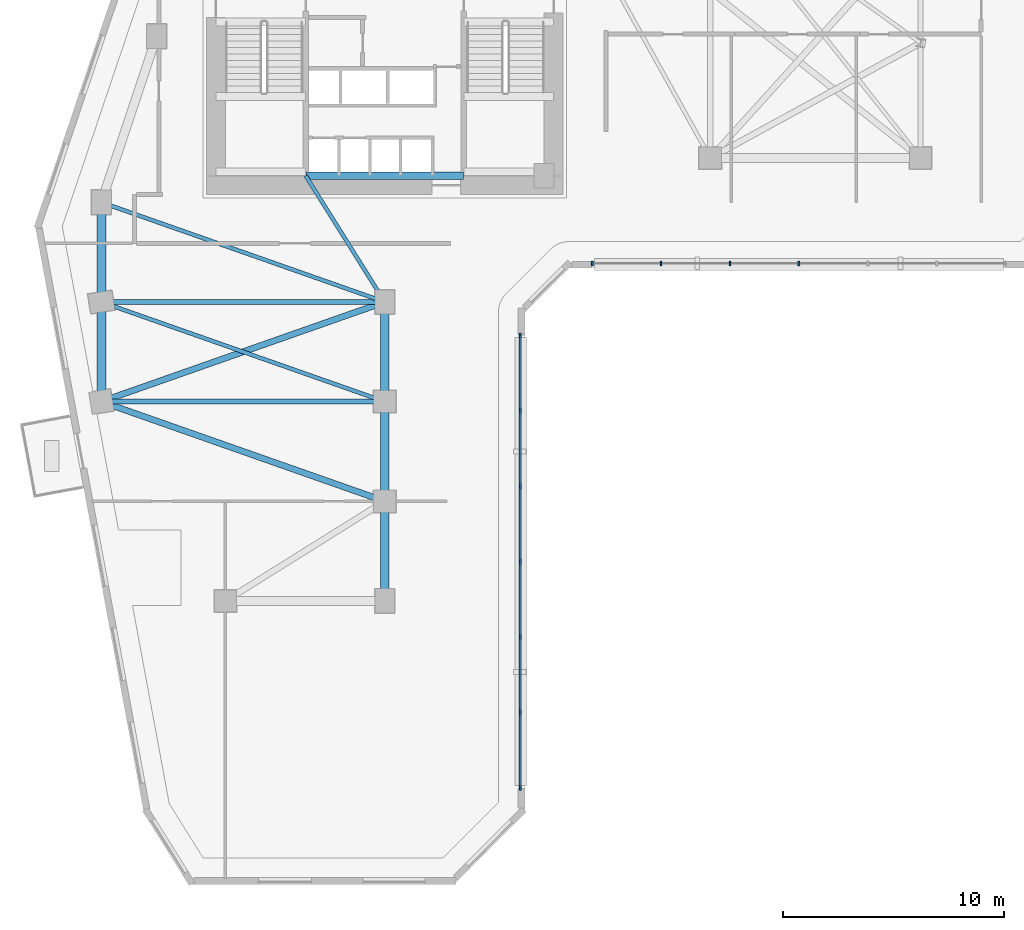
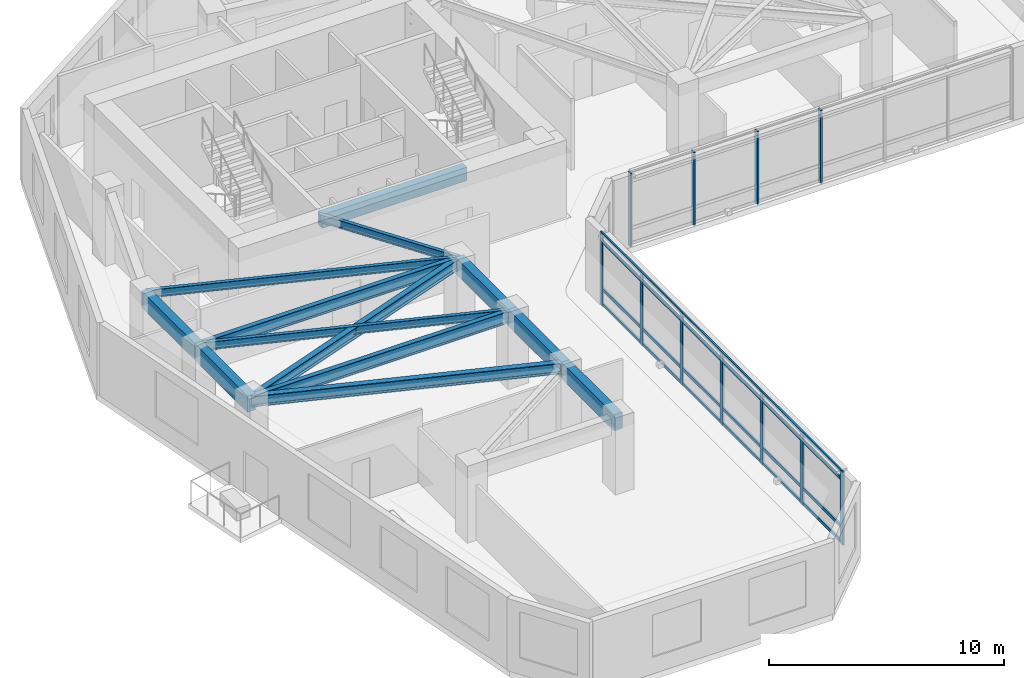
# One storey, part 2 of 9: 15 members, 13 beams, 2 elements without a shape of their own.
"""IFC4 building model written with IfcOpenShell, lengths in metres."""

from ifc_helpers import new_model, si_unit, direction, frame, origin, origin_2d, place, context, subcontext, project, spatial, rectangle, i_section, extrude, source, transform, mapped, material, material_profile, profile_set, type_object, element, aggregate, save


model = new_model("IFC4")

# Units and contexts
model_context = context("Model", 3, precision=1e-05, world=origin(), true_north=direction((0.0, 1.0)))
body_context = subcontext(model_context, "Body", "Model", "MODEL_VIEW")
ifc_project = project(units=[si_unit("LENGTHUNIT", "METRE"), si_unit("AREAUNIT", "SQUARE_METRE"), si_unit("VOLUMEUNIT", "CUBIC_METRE"), si_unit("PLANEANGLEUNIT", "RADIAN"), si_unit("MASSUNIT", "GRAM", prefix="KILO")], contexts=[model_context])

# Site, building, storey
site_placement = place(None, origin())
site = spatial("IfcSite", under=ifc_project, at=site_placement, CompositionType="ELEMENT")
building_placement = place(site_placement, origin())
building = spatial("IfcBuilding", under=site, at=building_placement, Name="Calvemar Wedge Station Tower", CompositionType="ELEMENT")
storey_placement = place(building_placement, frame((0.0, 0.0, 63.0)))
storey = spatial("IfcBuildingStorey", under=building, at=storey_placement, Name="L15", CompositionType="ELEMENT", Elevation=63.0)

# Beams
ifc_material_1 = material(Name="Concrete C60", Category="concrete")
ifc_material_profile_1 = material_profile(ifc_material_1, rectangle(XDim=0.39990234375, YDim=0.85009765625, at=origin_2d()), Name="RC400x850")
ifc_profile_set_1 = profile_set([ifc_material_profile_1], Name="Concrete C60")
beam_type_1 = type_object("IfcBeamType", Name="BM-SP1-850", PredefinedType="SPANDREL", material=ifc_profile_set_1)
shared_shape_1 = source(origin(), body_context, "Body", "SweptSolid", [
    extrude(rectangle(XDim=0.39990234375, YDim=0.85009765625, at=origin_2d()), origin(), (0.0, 0.0, 1.0), 4.5),
])
for number, where, z_axis, x_axis, name in (
    (1, (11.0, 33.0, 3.324951171875), (0.0, -1.0, 0.0), (1.0, 0.0, 0.0), "Storey L15 Spandrel T-NW1-T-SW1"),
    (2, (11.0, 28.5, 3.324951171875), (0.0, -1.0, 0.0), (1.0, 0.0, 0.0), "Storey L15 Spandrel T-SW1-T-SW2"),
    (3, (23.800048828125, 28.5, 3.324951171875), (0.0, -1.0, 0.0), (1.0, 0.0, 0.0), "Storey L15 Spandrel T-SE1-T-SE2"),
    (4, (23.800048828125, 24.0, 3.324951171875), (0.0, -1.0, 0.0), (1.0, 0.0, 0.0), "Storey L15 Spandrel T-SE2-T-SE3"),
    (5, (23.800048828125, 19.5, 3.324951171875), (0.0, -1.0, 0.0), (1.0, 0.0, 0.0), "Storey L15 Spandrel T-SE3-T-SE4"),
):
    element("IfcBeam", number, at=place(storey_placement, frame(where, z_axis=z_axis, x_axis=x_axis)), inside=storey, type_object=beam_type_1, Name=name, PredefinedType="SPANDREL", context=body_context, shape_type="MappedRepresentation", body=[
        mapped(shared_shape_1, transform((0.0, 0.0, 0.0), scale=1.0)),
    ])
ifc_material_2 = material(Name="Structural steel ASTM A572 Grade 50", Category="steel")
ifc_material_profile_2 = material_profile(ifc_material_2, i_section(OverallWidth=0.22998046875, OverallDepth=0.616943359375, WebThickness=0.01318359375, FlangeThickness=0.022216796875, FilletRadius=0.012939453125, at=origin_2d()), Name="W610x140")
ifc_profile_set_2 = profile_set([ifc_material_profile_2], Name="Structural steel ASTM A572 Grade 50")
beam_type_2 = type_object("IfcBeamType", Name="BM-SB2-W610", PredefinedType="BEAM", material=ifc_profile_set_2)
shared_shape_2 = source(origin(), body_context, "Body", "SweptSolid", [
    extrude(i_section(OverallWidth=0.22998046875, OverallDepth=0.616943359375, WebThickness=0.01318359375, FlangeThickness=0.022216796875, FilletRadius=0.012939453125, at=origin_2d()), origin(), (0.0, 0.0, 1.0), 12.800048828125),
])
for number, where, z_axis, x_axis, name in (
    (6, (11.0, 28.5, 3.44140625), (1.0, 0.0, 0.0), (0.0, 1.0, 0.0), "Storey L15 Floor Beam T-SW1-T-SE1"),
    (7, (11.0, 24.0, 3.44140625), (1.0, 0.0, 0.0), (0.0, 1.0, 0.0), "Storey L15 Floor Beam T-SW2-T-SE2"),
):
    element("IfcBeam", number, at=place(storey_placement, frame(where, z_axis=z_axis, x_axis=x_axis)), inside=storey, type_object=beam_type_2, Name=name, PredefinedType="BEAM", context=body_context, shape_type="MappedRepresentation", body=[
        mapped(shared_shape_2, transform((0.0, 0.0, 0.0), scale=1.0)),
    ])
ifc_material_profile_3 = material_profile(ifc_material_2, i_section(OverallWidth=0.177978515625, OverallDepth=0.406982421875, WebThickness=0.0078125, FlangeThickness=0.0126953125, FilletRadius=0.010009765625, at=origin_2d()), Name="W410x60")
ifc_profile_set_3 = profile_set([ifc_material_profile_3], Name="Structural steel ASTM A572 Grade 50")
beam_type_3 = type_object("IfcBeamType", Name="BM-J3-W410", PredefinedType="JOIST", material=ifc_profile_set_3)
shared_shape_3 = source(origin(), body_context, "Body", "SweptSolid", [
    extrude(i_section(OverallWidth=0.177978515625, OverallDepth=0.406982421875, WebThickness=0.0078125, FlangeThickness=0.0126953125, FilletRadius=0.010009765625, at=origin_2d()), origin(), (0.0, 0.0, 1.0), 13.568115234375),
])
for number, where, z_axis, x_axis, name in (
    (8, (11.0, 33.0, 3.54638671875), (0.943398221169, -0.331662171939, 0.0), (0.331662171939, 0.943398221169, 0.0), "Storey L15 Floor Beam T-NW1-T-SE1"),
    (9, (11.0, 28.5, 3.54638671875), (0.943398221169, -0.331662171939, 0.0), (0.331662171939, 0.943398221169, 0.0), "Storey L15 Floor Beam T-SW1-T-SE2"),
):
    element("IfcBeam", number, at=place(storey_placement, frame(where, z_axis=z_axis, x_axis=x_axis)), inside=storey, type_object=beam_type_3, Name=name, PredefinedType="JOIST", context=body_context, shape_type="MappedRepresentation", body=[
        mapped(shared_shape_3, transform((0.0, 0.0, 0.0), scale=1.0)),
    ])
ifc_material_profile_4 = material_profile(ifc_material_2, i_section(OverallWidth=0.279052734375, OverallDepth=0.553955078125, WebThickness=0.017578125, FlangeThickness=0.029541015625, FilletRadius=0.014892578125, at=origin_2d()), Name="W530x196")
ifc_profile_set_4 = profile_set([ifc_material_profile_4], Name="Structural steel ASTM A572 Grade 50")
beam_type_4 = type_object("IfcBeamType", Name="BM-SB3-W530H", PredefinedType="BEAM", material=ifc_profile_set_4)
shared_shape_4 = source(origin(), body_context, "Body", "SweptSolid", [
    extrude(i_section(OverallWidth=0.279052734375, OverallDepth=0.553955078125, WebThickness=0.017578125, FlangeThickness=0.029541015625, FilletRadius=0.014892578125, at=origin_2d()), origin(), (0.0, 0.0, 1.0), 13.568115234375),
])
for number, where, z_axis, x_axis, name in (
    (10, (23.800048828125, 28.5, 3.472900390625), (-0.943398221169, -0.331662171939, 0.0), (0.331662171939, -0.943398221169, 0.0), "Storey L15 Floor Beam T-SE1-T-SW2"),
    (11, (11.0, 24.0, 3.472900390625), (0.943398221169, -0.331662171939, 0.0), (0.331662171939, 0.943398221169, 0.0), "Storey L15 Floor Beam T-SW2-T-SE3"),
):
    element("IfcBeam", number, at=place(storey_placement, frame(where, z_axis=z_axis, x_axis=x_axis)), inside=storey, type_object=beam_type_4, Name=name, PredefinedType="BEAM", context=body_context, shape_type="MappedRepresentation", body=[
        mapped(shared_shape_4, transform((0.0, 0.0, 0.0), scale=1.0)),
    ])
shared_shape_5 = source(origin(), body_context, "Body", "SweptSolid", [
    extrude(i_section(OverallWidth=0.177978515625, OverallDepth=0.406982421875, WebThickness=0.0078125, FlangeThickness=0.0126953125, FilletRadius=0.010009765625, at=origin_2d()), origin(), (0.0, 0.0, 1.0), 6.7255859375),
])
beam_1_placement = place(storey_placement, frame((20.22998046875, 34.199951171875, 3.54638671875), z_axis=(0.530811158438, -0.847490126242, 0.0), x_axis=(0.847490126242, 0.530811158438, 0.0)))
element("IfcBeam", 12, at=beam_1_placement, inside=storey, type_object=beam_type_3, Name="Storey L15 Core-to-Column Joist CJ-S2", PredefinedType="JOIST", context=body_context, shape_type="MappedRepresentation", body=[
    mapped(shared_shape_5, transform((0.0, 0.0, 0.0), scale=1.0)),
])
ifc_material_3 = material(Name="Concrete C70", Category="concrete")
ifc_material_profile_5 = material_profile(ifc_material_3, rectangle(XDim=0.35009765625, YDim=0.699951171875, at=origin_2d()), Name="RC350x700")
ifc_profile_set_5 = profile_set([ifc_material_profile_5], Name="Concrete C70")
beam_type_5 = type_object("IfcBeamType", Name="BM-LN1-700", PredefinedType="LINTEL", material=ifc_profile_set_5)
shared_shape_6 = source(origin(), body_context, "Body", "SweptSolid", [
    extrude(rectangle(XDim=0.35009765625, YDim=0.699951171875, at=origin_2d()), origin(), (0.0, 0.0, 1.0), 7.10009765625),
])
beam_2_placement = place(storey_placement, frame((20.25, 34.199951171875, 3.39990234375), z_axis=(1.0, 0.0, 0.0), x_axis=(0.0, 1.0, 0.0)))
element("IfcBeam", 13, at=beam_2_placement, inside=storey, type_object=beam_type_5, Name="Storey L15 Core Coupling Lintel South", PredefinedType="LINTEL", context=body_context, shape_type="MappedRepresentation", body=[
    mapped(shared_shape_6, transform((0.0, 0.0, 0.0), scale=1.0)),
])

# Curtain wall, members
ifc_material_4 = material(Name="Anodised aluminium 6063-T6", Category="aluminium")
curtain_wall_type = type_object("IfcCurtainWallType", Name="CW1", PredefinedType="NOTDEFINED", material=ifc_material_4)
curtain_wall_1_placement = place(storey_placement, origin())
curtain_wall_1 = element("IfcCurtainWall", 14, at=curtain_wall_1_placement, inside=storey, type_object=curtain_wall_type, Name="Storey L15 CW1 Recessed Unitised Curtain Wall 4", PredefinedType="NOTDEFINED")
ifc_material_profile_6 = material_profile(ifc_material_4, rectangle(XDim=0.080078125, YDim=0.219970703125, at=origin_2d()), Name="AL-MUL-80x220")
ifc_profile_set_6 = profile_set([ifc_material_profile_6], Name="Anodised aluminium 6063-T6")
member_type_1 = type_object("IfcMemberType", Name="CW1-MUL", PredefinedType="MULLION", material=ifc_profile_set_6)
shared_shape_7 = source(origin(), body_context, "Body", "SweptSolid", [
    extrude(rectangle(XDim=0.080078125, YDim=0.219970703125, at=origin_2d()), origin(), (0.0, 0.0, 1.0), 3.800048828125),
])
member_1_placement = place(storey_placement, frame((29.91796875, 6.56201171875, -0.050048828125), z_axis=(0.0, 0.0, 1.0), x_axis=(1.0, 0.0, 0.0)))
member_1 = element("IfcMember", 15, at=member_1_placement, type_object=member_type_1, Name="CW1 mullion 1", PredefinedType="MULLION", context=body_context, shape_type="MappedRepresentation", body=[
    mapped(shared_shape_7, transform((0.0, 0.0, 0.0), scale=1.0)),
])
member_2_placement = place(storey_placement, frame((29.91796875, 9.966796875, -0.050048828125), z_axis=(0.0, 0.0, 1.0), x_axis=(1.0, 0.0, 0.0)))
member_2 = element("IfcMember", 16, at=member_2_placement, type_object=member_type_1, Name="CW1 mullion 2", PredefinedType="MULLION", context=body_context, shape_type="MappedRepresentation", body=[
    mapped(shared_shape_7, transform((0.0, 0.0, 0.0), scale=1.0)),
])
member_3_placement = place(storey_placement, frame((29.91796875, 13.371337890625, -0.050048828125), z_axis=(0.0, 0.0, 1.0), x_axis=(1.0, 0.0, 0.0)))
member_3 = element("IfcMember", 17, at=member_3_placement, type_object=member_type_1, Name="CW1 mullion 3", PredefinedType="MULLION", context=body_context, shape_type="MappedRepresentation", body=[
    mapped(shared_shape_7, transform((0.0, 0.0, 0.0), scale=1.0)),
])
member_4_placement = place(storey_placement, frame((29.91796875, 16.776123046875, -0.050048828125), z_axis=(0.0, 0.0, 1.0), x_axis=(1.0, 0.0, 0.0)))
member_4 = element("IfcMember", 18, at=member_4_placement, type_object=member_type_1, Name="CW1 mullion 4", PredefinedType="MULLION", context=body_context, shape_type="MappedRepresentation", body=[
    mapped(shared_shape_7, transform((0.0, 0.0, 0.0), scale=1.0)),
])
member_5_placement = place(storey_placement, frame((29.91796875, 20.180908203125, -0.050048828125), z_axis=(0.0, 0.0, 1.0), x_axis=(1.0, 0.0, 0.0)))
member_5 = element("IfcMember", 19, at=member_5_placement, type_object=member_type_1, Name="CW1 mullion 5", PredefinedType="MULLION", context=body_context, shape_type="MappedRepresentation", body=[
    mapped(shared_shape_7, transform((0.0, 0.0, 0.0), scale=1.0)),
])
member_6_placement = place(storey_placement, frame((29.91796875, 23.58544921875, -0.050048828125), z_axis=(0.0, 0.0, 1.0), x_axis=(1.0, 0.0, 0.0)))
member_6 = element("IfcMember", 20, at=member_6_placement, type_object=member_type_1, Name="CW1 mullion 6", PredefinedType="MULLION", context=body_context, shape_type="MappedRepresentation", body=[
    mapped(shared_shape_7, transform((0.0, 0.0, 0.0), scale=1.0)),
])
member_7_placement = place(storey_placement, frame((29.91796875, 26.989990234375, -0.050048828125), z_axis=(0.0, 0.0, 1.0), x_axis=(1.0, 0.0, 0.0)))
member_7 = element("IfcMember", 21, at=member_7_placement, type_object=member_type_1, Name="CW1 mullion 7", PredefinedType="MULLION", context=body_context, shape_type="MappedRepresentation", body=[
    mapped(shared_shape_7, transform((0.0, 0.0, 0.0), scale=1.0)),
])

curtain_wall_2_placement = place(storey_placement, origin())
curtain_wall_2 = element("IfcCurtainWall", 22, at=curtain_wall_2_placement, inside=storey, type_object=curtain_wall_type, Name="Storey L15 CW1 Recessed Unitised Curtain Wall 6", PredefinedType="NOTDEFINED")
member_8_placement = place(storey_placement, frame((33.166015625, 30.238037109375, -0.050048828125), z_axis=(0.0, 0.0, 1.0), x_axis=(1.0, 0.0, 0.0)))
member_8 = element("IfcMember", 23, at=member_8_placement, type_object=member_type_1, Name="CW1 mullion 1", PredefinedType="MULLION", context=body_context, shape_type="MappedRepresentation", body=[
    mapped(shared_shape_7, transform((0.0, 0.0, 0.0), scale=1.0)),
])
member_9_placement = place(storey_placement, frame((36.27783203125, 30.238037109375, -0.050048828125), z_axis=(0.0, 0.0, 1.0), x_axis=(1.0, 0.0, 0.0)))
member_9 = element("IfcMember", 24, at=member_9_placement, type_object=member_type_1, Name="CW1 mullion 2", PredefinedType="MULLION", context=body_context, shape_type="MappedRepresentation", body=[
    mapped(shared_shape_7, transform((0.0, 0.0, 0.0), scale=1.0)),
])
member_10_placement = place(storey_placement, frame((39.389892578125, 30.238037109375, -0.050048828125), z_axis=(0.0, 0.0, 1.0), x_axis=(1.0, 0.0, 0.0)))
member_10 = element("IfcMember", 25, at=member_10_placement, type_object=member_type_1, Name="CW1 mullion 3", PredefinedType="MULLION", context=body_context, shape_type="MappedRepresentation", body=[
    mapped(shared_shape_7, transform((0.0, 0.0, 0.0), scale=1.0)),
])
member_11_placement = place(storey_placement, frame((42.501953125, 30.238037109375, -0.050048828125), z_axis=(0.0, 0.0, 1.0), x_axis=(1.0, 0.0, 0.0)))
member_11 = element("IfcMember", 26, at=member_11_placement, type_object=member_type_1, Name="CW1 mullion 4", PredefinedType="MULLION", context=body_context, shape_type="MappedRepresentation", body=[
    mapped(shared_shape_7, transform((0.0, 0.0, 0.0), scale=1.0)),
])
aggregate(curtain_wall_2, [member_8, member_9, member_10, member_11])

# Member
ifc_material_profile_7 = material_profile(ifc_material_4, rectangle(XDim=0.080078125, YDim=0.159912109375, at=origin_2d()), Name="AL-TRN-80x160")
ifc_profile_set_7 = profile_set([ifc_material_profile_7], Name="Anodised aluminium 6063-T6")
member_type_2 = type_object("IfcMemberType", Name="CW1-TRN", PredefinedType="USERDEFINED", material=ifc_profile_set_7)
shared_shape_8 = source(origin(), body_context, "Body", "SweptSolid", [
    extrude(rectangle(XDim=0.080078125, YDim=0.159912109375, at=origin_2d()), origin(), (0.0, 0.0, 1.0), 20.427978515625),
])
member_12_placement = place(storey_placement, frame((29.91796875, 6.56201171875, 0.06005859375), z_axis=(0.0, 1.0, 0.0), x_axis=(-1.0, 0.0, 0.0)))
member_12 = element("IfcMember", 27, at=member_12_placement, type_object=member_type_2, Name="CW1 transom 1", ObjectType="TRANSOM", PredefinedType="USERDEFINED", context=body_context, shape_type="MappedRepresentation", body=[
    mapped(shared_shape_8, transform((0.0, 0.0, 0.0), scale=1.0)),
])

member_13_placement = place(storey_placement, frame((29.91796875, 6.56201171875, 0.85009765625), z_axis=(0.0, 1.0, 0.0), x_axis=(-1.0, 0.0, 0.0)))
member_13 = element("IfcMember", 28, at=member_13_placement, type_object=member_type_2, Name="CW1 transom 2", ObjectType="TRANSOM", PredefinedType="USERDEFINED", context=body_context, shape_type="MappedRepresentation", body=[
    mapped(shared_shape_8, transform((0.0, 0.0, 0.0), scale=1.0)),
])

member_14_placement = place(storey_placement, frame((29.91796875, 6.56201171875, 3.300048828125), z_axis=(0.0, 1.0, 0.0), x_axis=(-1.0, 0.0, 0.0)))
member_14 = element("IfcMember", 29, at=member_14_placement, type_object=member_type_2, Name="CW1 transom 3", ObjectType="TRANSOM", PredefinedType="USERDEFINED", context=body_context, shape_type="MappedRepresentation", body=[
    mapped(shared_shape_8, transform((0.0, 0.0, 0.0), scale=1.0)),
])

member_15_placement = place(storey_placement, frame((29.91796875, 6.56201171875, 3.68994140625), z_axis=(0.0, 1.0, 0.0), x_axis=(-1.0, 0.0, 0.0)))
member_15 = element("IfcMember", 30, at=member_15_placement, type_object=member_type_2, Name="CW1 transom 4", ObjectType="TRANSOM", PredefinedType="USERDEFINED", context=body_context, shape_type="MappedRepresentation", body=[
    mapped(shared_shape_8, transform((0.0, 0.0, 0.0), scale=1.0)),
])

aggregate(curtain_wall_1, [member_1, member_2, member_3, member_4, member_5, member_6, member_7, member_12, member_13, member_14, member_15])

save(model, "model.ifc")
